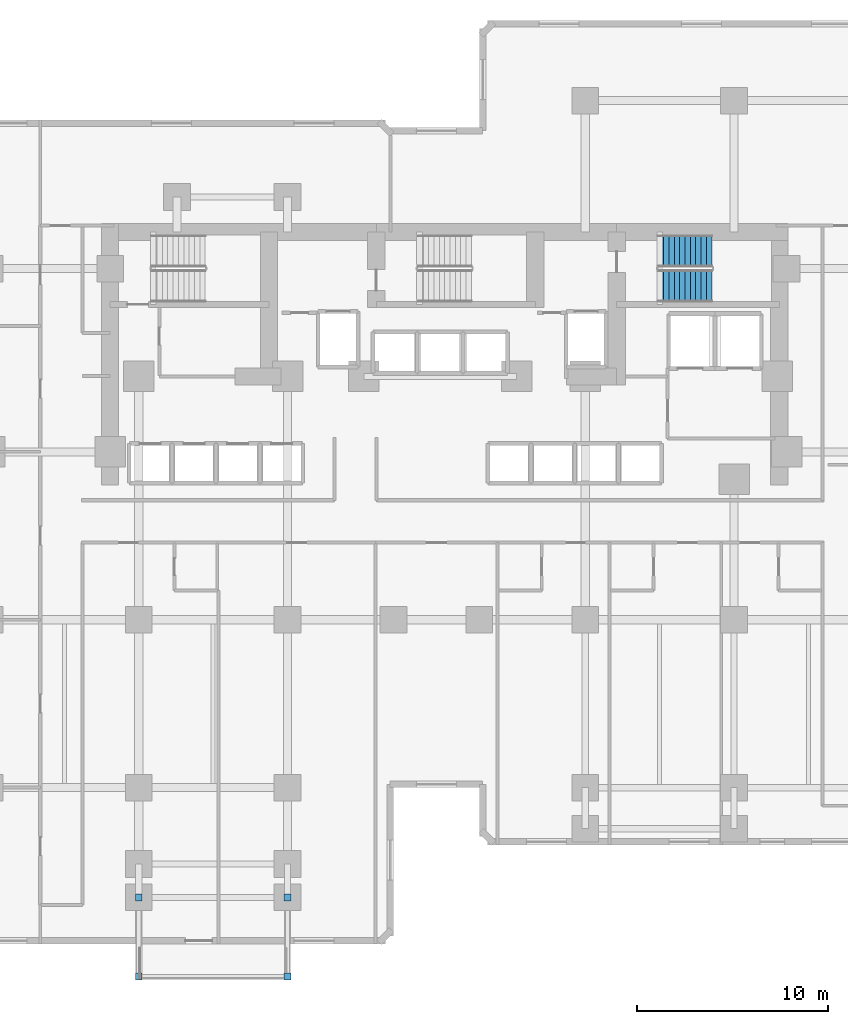
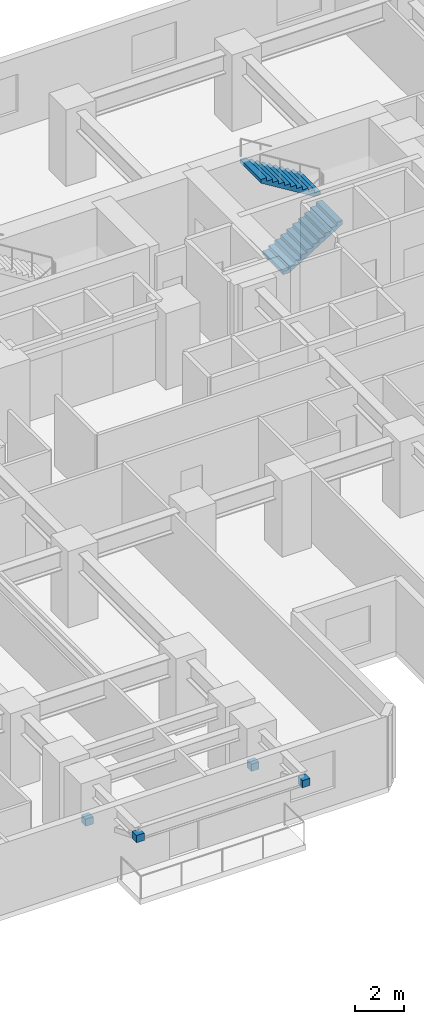
# One storey, part 10 of 12: 4 discrete accessories, 2 stair flights, 1 element without a shape of its own.
"""IFC4 building model written with IfcOpenShell, lengths in metres."""

from ifc_helpers import new_model, si_unit, direction, frame, origin, origin_2d, place, context, subcontext, project, spatial, polyline, rectangle, outline, extrude, material, type_object, element, aggregate, save


model = new_model("IFC4")

# Units and contexts
model_context = context("Model", 3, precision=1e-05, world=origin(), true_north=direction((0.0, 1.0)))
body_context = subcontext(model_context, "Body", "Model", "MODEL_VIEW")
ifc_project = project(units=[si_unit("LENGTHUNIT", "METRE"), si_unit("AREAUNIT", "SQUARE_METRE"), si_unit("VOLUMEUNIT", "CUBIC_METRE"), si_unit("PLANEANGLEUNIT", "RADIAN"), si_unit("MASSUNIT", "GRAM", prefix="KILO")], contexts=[model_context])

# Site, building, storey
site_placement = place(None, origin())
site = spatial("IfcSite", under=ifc_project, at=site_placement, CompositionType="ELEMENT")
building_placement = place(site_placement, origin())
building = spatial("IfcBuilding", under=site, at=building_placement, Name="Kestravale Grand Hotel", CompositionType="ELEMENT")
storey_placement = place(building_placement, frame((0.0, 0.0, 60.199951171875)))
storey = spatial("IfcBuildingStorey", under=building, at=storey_placement, Name="L14", CompositionType="ELEMENT", Elevation=60.199951171875)

# Stair, stair flights
ifc_material_1 = material(Name="Concrete f'c 45 MPa", Category="concrete")
stair_type = type_object("IfcStairType", Name="ST-CORE-380", PredefinedType="HALF_TURN_STAIR", material=ifc_material_1)
stair_placement = place(storey_placement, origin())
stair = element("IfcStair", 1, at=stair_placement, inside=storey, type_object=stair_type, Name="L14 ST-3", PredefinedType="HALF_TURN_STAIR")
ifc_material_2 = material(Name="Concrete f'c 45 MPa", Category="concrete")
stair_flight_type = type_object("IfcStairFlightType", Name="STF-CORE-380", PredefinedType="STRAIGHT", material=ifc_material_2)
stair_flight_1_placement = place(storey_placement, frame((50.6298828125, 37.489990234375, 0.0), z_axis=(0.0, 0.0, 1.0), x_axis=(1.0, 0.0, 0.0)))
stair_flight_1 = element("IfcStairFlight", 2, at=stair_flight_1_placement, type_object=stair_flight_type, Name="ST-3 flight 1", NumberOfRisers=11, NumberOfTreads=10, PredefinedType="STRAIGHT", RiserHeight=0.172727273, TreadLength=0.28, context=body_context, shape_type="SweptSolid", body=[
    extrude(outline(polyline([(0.0, 0.0), (0.0, 0.172607421875), (0.280029296875, 0.172607421875), (0.280029296875, 0.345458984375), (0.56005859375, 0.345458984375), (0.56005859375, 0.51806640625), (0.840087890625, 0.51806640625), (0.840087890625, 0.69091796875), (1.1201171875, 0.69091796875), (1.1201171875, 0.863525390625), (1.39990234375, 0.863525390625), (1.39990234375, 1.036376953125), (1.679931640625, 1.036376953125), (1.679931640625, 1.208984375), (1.9599609375, 1.208984375), (1.9599609375, 1.3818359375), (2.239990234375, 1.3818359375), (2.239990234375, 1.554443359375), (2.52001953125, 1.554443359375), (2.52001953125, 1.727294921875), (2.800048828125, 1.727294921875), (2.800048828125, 1.89990234375), (2.800048828125, 1.551025390625), (0.285400390625, 0.0), (0.0, 0.0)])), frame((0.0, 0.83984375, 0.0), z_axis=(0.0, -1.0, 0.0), x_axis=(1.0, 0.0, 0.0)), (0.0, 0.0, 1.0), 1.679931640625),
])
stair_flight_2_placement = place(storey_placement, frame((53.429931640625, 39.320068359375, 1.900146484375), z_axis=(0.0, 0.0, 1.0), x_axis=(-1.0, 0.0, 0.0)))
stair_flight_2 = element("IfcStairFlight", 3, at=stair_flight_2_placement, type_object=stair_flight_type, Name="ST-3 flight 2", NumberOfRisers=11, NumberOfTreads=10, PredefinedType="STRAIGHT", RiserHeight=0.172727273, TreadLength=0.28, context=body_context, shape_type="SweptSolid", body=[
    extrude(outline(polyline([(0.0, 0.0), (0.0, 0.172607421875), (0.280029296875, 0.172607421875), (0.280029296875, 0.345458984375), (0.56005859375, 0.345458984375), (0.56005859375, 0.51806640625), (0.840087890625, 0.51806640625), (0.840087890625, 0.69091796875), (1.1201171875, 0.69091796875), (1.1201171875, 0.863525390625), (1.39990234375, 0.863525390625), (1.39990234375, 1.036376953125), (1.679931640625, 1.036376953125), (1.679931640625, 1.208984375), (1.9599609375, 1.208984375), (1.9599609375, 1.3818359375), (2.239990234375, 1.3818359375), (2.239990234375, 1.554443359375), (2.52001953125, 1.554443359375), (2.52001953125, 1.727294921875), (2.800048828125, 1.727294921875), (2.800048828125, 1.89990234375), (2.800048828125, 1.551025390625), (0.285400390625, 0.0), (0.0, 0.0)])), frame((0.0, 0.83984375, 0.0), z_axis=(0.0, -1.0, 0.0), x_axis=(1.0, 0.0, 0.0)), (0.0, 0.0, 1.0), 1.679931640625),
])
aggregate(stair, [stair_flight_1, stair_flight_2])

# Discrete accessories
ifc_material_3 = material(Name="Steel ASTM A572 Grade 50 hot-dip galvanised bracket", Category="steel")
discrete_accessory_type = type_object("IfcDiscreteAccessoryType", Name="ACC-BRK-STL", PredefinedType="BRACKET", material=ifc_material_3)
for number, where, z_axis, x_axis, name in (
    (4, (23.39990234375, 5.449951171875, 1.19384765625), (0.0, 0.0, 1.0), (1.0, 0.0, 0.0), "L15 terrace strut column bracket 1"),
    (5, (23.39990234375, 1.300048828125, 2.89404296875), (0.0, 0.0, 1.0), (1.0, 0.0, 0.0), "L15 terrace strut beam bracket 1"),
    (6, (31.199951171875, 5.449951171875, 1.19384765625), (0.0, 0.0, 1.0), (1.0, 0.0, 0.0), "L15 terrace strut column bracket 2"),
    (7, (31.199951171875, 1.300048828125, 2.89404296875), (0.0, 0.0, 1.0), (1.0, 0.0, 0.0), "L15 terrace strut beam bracket 2"),
):
    element("IfcDiscreteAccessory", number, at=place(storey_placement, frame(where, z_axis=z_axis, x_axis=x_axis)), inside=storey, type_object=discrete_accessory_type, Name=name, PredefinedType="BRACKET", context=body_context, shape_type="SweptSolid", body=[
        extrude(rectangle(XDim=0.360107421875, YDim=0.360107421875, at=origin_2d()), origin(), (0.0, 0.0, 1.0), 0.360107421875),
    ])

save(model, "model.ifc")
